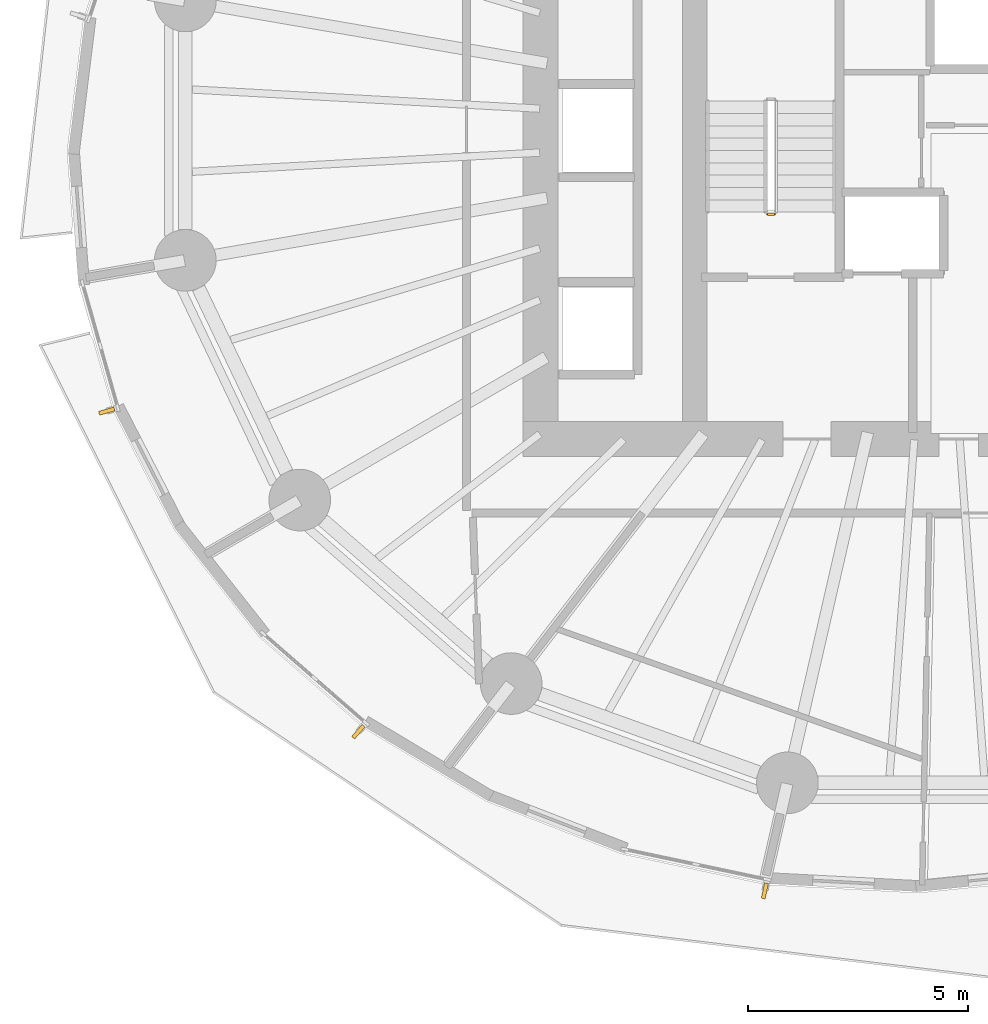
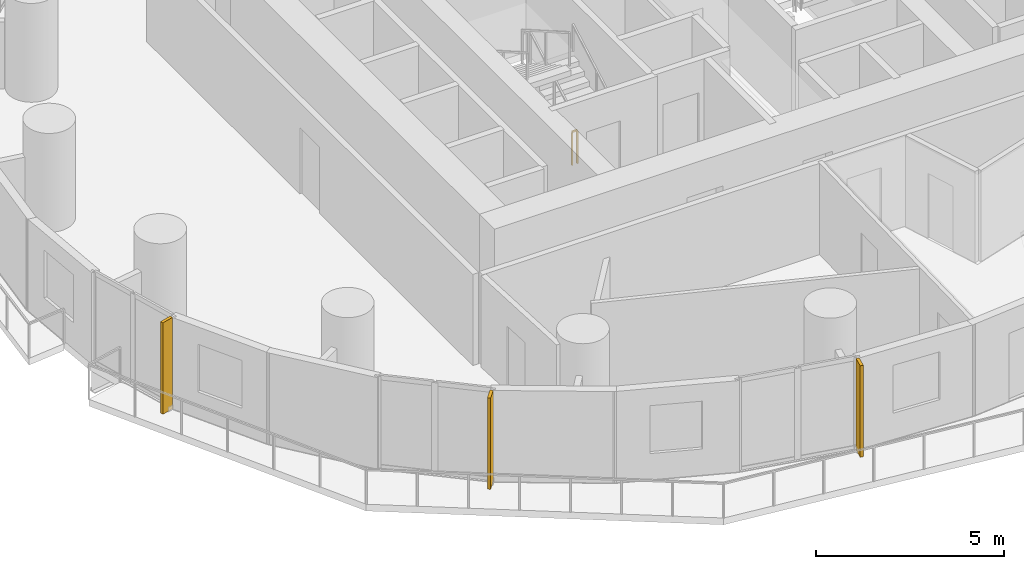
# One storey, part 11 of 14: 3 shading devices, 1 railing.
"""IFC4 building model written with IfcOpenShell, lengths in metres."""

from ifc_helpers import new_model, si_unit, direction, frame, origin, origin_2d, place, context, subcontext, project, spatial, rectangle, extrude, material, layer, layer_set, type_object, element, save


model = new_model("IFC4")

# Units and contexts
model_context = context("Model", 3, precision=1e-05, world=origin(), true_north=direction((0.0, 1.0)))
body_context = subcontext(model_context, "Body", "Model", "MODEL_VIEW")
ifc_project = project(units=[si_unit("LENGTHUNIT", "METRE"), si_unit("AREAUNIT", "SQUARE_METRE"), si_unit("VOLUMEUNIT", "CUBIC_METRE"), si_unit("PLANEANGLEUNIT", "RADIAN"), si_unit("MASSUNIT", "GRAM", prefix="KILO")], contexts=[model_context])

# Site, building, storey
site_placement = place(None, origin())
site = spatial("IfcSite", under=ifc_project, at=site_placement, CompositionType="ELEMENT")
building_placement = place(site_placement, origin())
building = spatial("IfcBuilding", under=site, at=building_placement, Name="Veldorim Arch Residences", CompositionType="ELEMENT")
storey_placement = place(building_placement, frame((0.0, 0.0, 50.39990234375)))
storey = spatial("IfcBuildingStorey", under=building, at=storey_placement, Name="L14", CompositionType="ELEMENT", Elevation=50.39990234375)

# Railing
ifc_material_1 = material(Name="Steel S355", Category="steel")
railing_type = type_object("IfcRailingType", Name="Galvanised Steel Stair Safety Guardrail 1100", PredefinedType="GUARDRAIL", material=ifc_material_1)
railing_placement = place(storey_placement, frame((28.31005859375, 22.10009765625, 0.0)))
element("IfcRailing", 1, at=railing_placement, inside=storey, type_object=railing_type, Name="L14 ST-1 stair guard 4", PredefinedType="GUARDRAIL", context=body_context, shape_type="SweptSolid", body=[
    extrude(rectangle(XDim=0.048095703125, YDim=0.048095703125, at=origin_2d()), frame((0.0, 0.0, 1.076171875), z_axis=(-1.0, 0.0, 0.0), x_axis=(0.0, -1.0, 0.0)), (0.0, 0.0, 1.0), 0.16015625),
    extrude(rectangle(XDim=0.0419921875, YDim=0.0419921875, at=origin_2d()), origin(), (0.0, 0.0, 1.0), 1.052001953125),
    extrude(rectangle(XDim=0.0419921875, YDim=0.0419921875, at=origin_2d()), frame((-0.16015625, 0.0, 0.0)), (0.0, 0.0, 1.0), 1.052001953125),
])

# Shading devices
ifc_material_2 = material(Name="Terracotta Ceramic", Category="masonry")
ifc_layer = layer(ifc_material_2, 0.090087890625, Name="Vertical Extruded Terracotta Baguette Sun-Shading Fin")
ifc_layer_set = layer_set([ifc_layer], Name="Terracotta Ceramic")
shading_device_type = type_object("IfcShadingDeviceType", Name="Vertical Extruded Terracotta Baguette Sun-Shading Fin", PredefinedType="USERDEFINED", material=ifc_layer_set)
for number, where, z_axis, x_axis, name in (
    (2, (13.149658203125, 17.630859375, 0.0), (0.0, 0.0, 1.0), (-0.272784025857, 0.962075296033, 0.0), "L14 vertical terracotta sun-shading fin 19"),
    (3, (18.86376953125, 10.351318359375, 0.0), (0.0, 0.0, 1.0), (-0.754136773416, 0.656717387452, 0.0), "L14 vertical terracotta sun-shading fin 22"),
    (4, (28.093994140625, 6.739501953125, 0.0), (0.0, 0.0, 1.0), (-0.978256328953, 0.207399505455, 0.0), "L14 vertical terracotta sun-shading fin 25"),
):
    element("IfcShadingDevice", number, at=place(storey_placement, frame(where, z_axis=z_axis, x_axis=x_axis)), inside=storey, type_object=shading_device_type, Name=name, ObjectType="FIN", PredefinedType="USERDEFINED", context=body_context, shape_type="SweptSolid", body=[
        extrude(rectangle(XDim=0.090087890625, YDim=0.360107421875, at=origin_2d()), origin(), (0.0, 0.0, 1.0), 2.9599609375),
    ])

save(model, "model.ifc")
